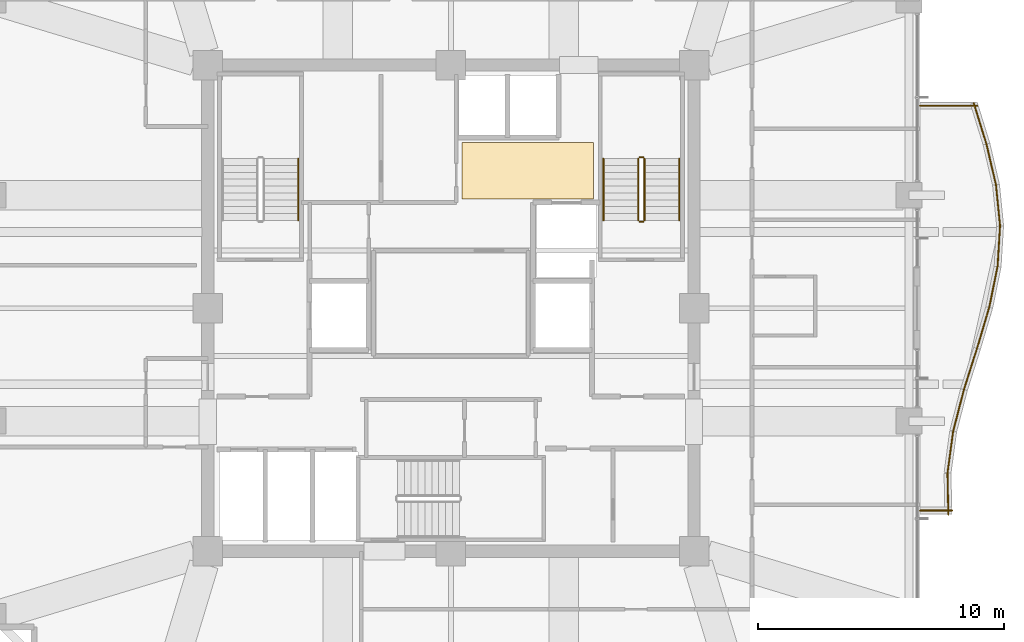
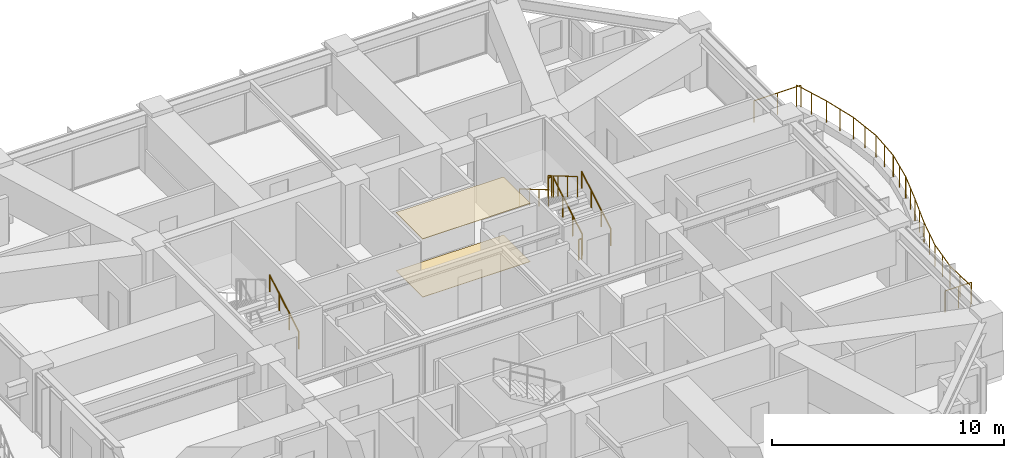
# One storey, part 36 of 36: 19 railings, 2 coverings.
"""IFC4 building model written with IfcOpenShell, lengths in metres."""

from ifc_helpers import new_model, si_unit, direction, frame, origin, origin_2d, place, context, subcontext, project, spatial, polyline, circle, outline, extrude, material, layer, layer_set, type_object, element, save


model = new_model("IFC4")

# Units and contexts
model_context = context("Model", 3, precision=1e-05, world=origin(), true_north=direction((0.0, 1.0)))
body_context = subcontext(model_context, "Body", "Model", "MODEL_VIEW")
ifc_project = project(units=[si_unit("LENGTHUNIT", "METRE"), si_unit("AREAUNIT", "SQUARE_METRE"), si_unit("VOLUMEUNIT", "CUBIC_METRE"), si_unit("PLANEANGLEUNIT", "RADIAN"), si_unit("MASSUNIT", "GRAM", prefix="KILO")], contexts=[model_context])

# Site, building, storey
site_placement = place(None, origin())
site = spatial("IfcSite", under=ifc_project, at=site_placement, CompositionType="ELEMENT")
building_placement = place(site_placement, origin())
building = spatial("IfcBuilding", under=site, at=building_placement, Name="Kolvaren Belvedere", CompositionType="ELEMENT")
storey_placement = place(building_placement, frame((0.0, 0.0, 108.5)))
storey = spatial("IfcBuildingStorey", under=building, at=storey_placement, Name="L31", CompositionType="ELEMENT", Elevation=108.5)

# Coverings
ifc_material_1 = material(Name="Acoustic perforated gypsum board", Category="gypsum")
ifc_layer_1 = layer(ifc_material_1, 0.02490234375)
ifc_layer_set_1 = layer_set([ifc_layer_1], Name="Acoustic perforated gypsum board")
covering_type_1 = type_object("IfcCoveringType", Name="COV-CEIL-GYP", PredefinedType="CEILING", material=ifc_layer_set_1)
covering_1_placement = place(storey_placement, frame((0.0, 0.0, 3.054931640625)))
element("IfcCovering", 1, at=covering_1_placement, inside=storey, type_object=covering_type_1, Name="L31 Lift Lobby Acoustic Baffle Ceiling", PredefinedType="CEILING", context=body_context, shape_type="SweptSolid", body=[
    extrude(outline(polyline([(0.449951171875, 4.449951171875), (5.800048828125, 4.449951171875), (5.800048828125, 6.75), (0.449951171875, 6.75), (0.449951171875, 4.449951171875)])), origin(), (0.0, 0.0, 1.0), 0.025146484375),
])
ifc_material_2 = material(Name="Engineered Pacific white oak", Category="timber")
ifc_layer_2 = layer(ifc_material_2, 0.02001953125)
ifc_layer_set_2 = layer_set([ifc_layer_2], Name="Engineered Pacific white oak")
covering_type_2 = type_object("IfcCoveringType", Name="COV-FLR-OAK", PredefinedType="FLOORING", material=ifc_layer_set_2)
covering_2_placement = place(storey_placement, origin())
element("IfcCovering", 2, at=covering_2_placement, inside=storey, type_object=covering_type_2, Name="L31 Lift Lobby Finish Flooring", PredefinedType="FLOORING", context=body_context, shape_type="SweptSolid", body=[
    extrude(outline(polyline([(0.449951171875, 4.449951171875), (5.800048828125, 4.449951171875), (5.800048828125, 6.75), (0.449951171875, 6.75), (0.449951171875, 4.449951171875)])), origin(), (0.0, 0.0, 1.0), 0.02001953125),
])

# Railings
ifc_material_3 = material(Name="Anodised pale-metal aluminium & laminated glass guard", Category="aluminium")
railing_type_1 = type_object("IfcRailingType", Name="RL-GUARD-1150", PredefinedType="GUARDRAIL", material=ifc_material_3)
railing_1_placement = place(storey_placement, frame((20.2529296875, -8.4033203125, 0.3798828125)))
element("IfcRailing", 3, at=railing_1_placement, inside=storey, type_object=railing_type_1, Name="L31 Exterior Deck Safety Guard BAL-E-1", PredefinedType="GUARDRAIL", context=body_context, shape_type="SweptSolid", body=[
    extrude(circle(Radius=0.02392578125, at=origin_2d()), frame((0.0, 0.0, 1.1259765625), z_axis=(-0.020193498486, 0.99979609052, 0.0), x_axis=(-0.99979609052, -0.020193498486, 0.0)), (0.0, 0.0, 1.0), 1.680419921875),
    extrude(circle(Radius=0.02099609375, at=origin_2d()), origin(), (0.0, 0.0, 1.0), 1.101806640625),
    extrude(circle(Radius=0.02099609375, at=origin_2d()), frame((-0.01708984375, 0.840087890625, 0.0)), (0.0, 0.0, 1.0), 1.101806640625),
    extrude(circle(Radius=0.02099609375, at=origin_2d()), frame((-0.033935546875, 1.68017578125, 0.0)), (0.0, 0.0, 1.0), 1.101806640625),
])
railing_2_placement = place(storey_placement, frame((20.220703125, -6.698486328125, 0.3798828125)))
element("IfcRailing", 4, at=railing_2_placement, inside=storey, type_object=railing_type_1, Name="L31 Exterior Deck Safety Guard BAL-E-2", PredefinedType="GUARDRAIL", context=body_context, shape_type="SweptSolid", body=[
    extrude(circle(Radius=0.02392578125, at=origin_2d()), frame((0.0, 0.0, 1.1259765625), z_axis=(0.134766240144, 0.990877419521, 0.0), x_axis=(-0.990877419521, 0.134766240144, 0.0)), (0.0, 0.0, 1.0), 1.695556640625),
    extrude(circle(Radius=0.02099609375, at=origin_2d()), origin(), (0.0, 0.0, 1.0), 1.101806640625),
    extrude(circle(Radius=0.02099609375, at=origin_2d()), frame((0.1142578125, 0.840087890625, 0.0)), (0.0, 0.0, 1.0), 1.101806640625),
    extrude(circle(Radius=0.02099609375, at=origin_2d()), frame((0.228515625, 1.68017578125, 0.0)), (0.0, 0.0, 1.0), 1.101806640625),
])
railing_3_placement = place(storey_placement, frame((20.452880859375, -5.0, 0.3798828125)))
element("IfcRailing", 5, at=railing_3_placement, inside=storey, type_object=railing_type_1, Name="L31 Exterior Deck Safety Guard BAL-E-3", PredefinedType="GUARDRAIL", context=body_context, shape_type="SweptSolid", body=[
    extrude(circle(Radius=0.02392578125, at=origin_2d()), frame((0.0, 0.0, 1.1259765625), z_axis=(0.250405556038, 0.968141031826, 0.0), x_axis=(-0.968141031826, 0.250405556038, 0.0)), (0.0, 0.0, 1.0), 1.7353515625),
    extrude(circle(Radius=0.02099609375, at=origin_2d()), origin(), (0.0, 0.0, 1.0), 1.101806640625),
    extrude(circle(Radius=0.02099609375, at=origin_2d()), frame((0.21728515625, 0.840087890625, 0.0)), (0.0, 0.0, 1.0), 1.101806640625),
    extrude(circle(Radius=0.02099609375, at=origin_2d()), frame((0.4345703125, 1.68017578125, 0.0)), (0.0, 0.0, 1.0), 1.101806640625),
])
railing_4_placement = place(storey_placement, frame((20.889892578125, -3.3115234375, 0.3798828125)))
element("IfcRailing", 6, at=railing_4_placement, inside=storey, type_object=railing_type_1, Name="L31 Exterior Deck Safety Guard BAL-E-4", PredefinedType="GUARDRAIL", context=body_context, shape_type="SweptSolid", body=[
    extrude(circle(Radius=0.02392578125, at=origin_2d()), frame((0.0, 0.0, 1.1259765625), z_axis=(0.302397356111, 0.953181954832, 0.0), x_axis=(-0.953181954832, 0.302397356111, 0.0)), (0.0, 0.0, 1.0), 1.762451171875),
    extrude(circle(Radius=0.02099609375, at=origin_2d()), origin(), (0.0, 0.0, 1.0), 1.101806640625),
    extrude(circle(Radius=0.02099609375, at=origin_2d()), frame((0.2666015625, 0.83984375, 0.0)), (0.0, 0.0, 1.0), 1.101806640625),
    extrude(circle(Radius=0.02099609375, at=origin_2d()), frame((0.532958984375, 1.679931640625, 0.0)), (0.0, 0.0, 1.0), 1.101806640625),
])
railing_5_placement = place(storey_placement, frame((21.422119140625, -1.634521484375, 0.3798828125)))
element("IfcRailing", 7, at=railing_5_placement, inside=storey, type_object=railing_type_1, Name="L31 Exterior Deck Safety Guard BAL-E-5", PredefinedType="GUARDRAIL", context=body_context, shape_type="SweptSolid", body=[
    extrude(circle(Radius=0.02392578125, at=origin_2d()), frame((0.0, 0.0, 1.1259765625), z_axis=(0.284842289601, 0.958574394638, 0.0), x_axis=(-0.958574394638, 0.284842289601, 0.0)), (0.0, 0.0, 1.0), 1.752685546875),
    extrude(circle(Radius=0.02099609375, at=origin_2d()), origin(), (0.0, 0.0, 1.0), 1.101806640625),
    extrude(circle(Radius=0.02099609375, at=origin_2d()), frame((0.24951171875, 0.840087890625, 0.0)), (0.0, 0.0, 1.0), 1.101806640625),
    extrude(circle(Radius=0.02099609375, at=origin_2d()), frame((0.499267578125, 1.68017578125, 0.0)), (0.0, 0.0, 1.0), 1.101806640625),
])
railing_6_placement = place(storey_placement, frame((21.91796875, 0.031982421875, 0.3798828125)))
element("IfcRailing", 8, at=railing_6_placement, inside=storey, type_object=railing_type_1, Name="L31 Exterior Deck Safety Guard BAL-E-6", PredefinedType="GUARDRAIL", context=body_context, shape_type="SweptSolid", body=[
    extrude(circle(Radius=0.02392578125, at=origin_2d()), frame((0.0, 0.0, 1.1259765625), z_axis=(0.199784246163, 0.979839912937, 0.0), x_axis=(-0.979839912937, 0.199784246163, 0.0)), (0.0, 0.0, 1.0), 1.714599609375),
    extrude(circle(Radius=0.02099609375, at=origin_2d()), origin(), (0.0, 0.0, 1.0), 1.101806640625),
    extrude(circle(Radius=0.02099609375, at=origin_2d()), frame((0.17138671875, 0.83984375, 0.0)), (0.0, 0.0, 1.0), 1.101806640625),
    extrude(circle(Radius=0.02099609375, at=origin_2d()), frame((0.342529296875, 1.679931640625, 0.0)), (0.0, 0.0, 1.0), 1.101806640625),
])
railing_7_placement = place(storey_placement, frame((22.257568359375, 1.689697265625, 0.3798828125)))
element("IfcRailing", 9, at=railing_7_placement, inside=storey, type_object=railing_type_1, Name="L31 Exterior Deck Safety Guard BAL-E-7", PredefinedType="GUARDRAIL", context=body_context, shape_type="SweptSolid", body=[
    extrude(circle(Radius=0.02392578125, at=origin_2d()), frame((0.0, 0.0, 1.1259765625), z_axis=(0.061059932685, 0.998134101522, 0.0), x_axis=(-0.998134101522, 0.061059932685, 0.0)), (0.0, 0.0, 1.0), 1.683349609375),
    extrude(circle(Radius=0.02099609375, at=origin_2d()), origin(), (0.0, 0.0, 1.0), 1.101806640625),
    extrude(circle(Radius=0.02099609375, at=origin_2d()), frame((0.05126953125, 0.840087890625, 0.0)), (0.0, 0.0, 1.0), 1.101806640625),
    extrude(circle(Radius=0.02099609375, at=origin_2d()), frame((0.102783203125, 1.68017578125, 0.0)), (0.0, 0.0, 1.0), 1.101806640625),
])
railing_8_placement = place(storey_placement, frame((22.36083984375, 3.343994140625, 0.3798828125)))
element("IfcRailing", 10, at=railing_8_placement, inside=storey, type_object=railing_type_1, Name="L31 Exterior Deck Safety Guard BAL-E-8", PredefinedType="GUARDRAIL", context=body_context, shape_type="SweptSolid", body=[
    extrude(circle(Radius=0.02392578125, at=origin_2d()), frame((0.0, 0.0, 1.1259765625), z_axis=(-0.099618240186, 0.995025731437, 0.0), x_axis=(-0.995025731437, -0.099618240186, 0.0)), (0.0, 0.0, 1.0), 1.6884765625),
    extrude(circle(Radius=0.02099609375, at=origin_2d()), origin(), (0.0, 0.0, 1.0), 1.101806640625),
    extrude(circle(Radius=0.02099609375, at=origin_2d()), frame((-0.083984375, 0.840087890625, 0.0)), (0.0, 0.0, 1.0), 1.101806640625),
    extrude(circle(Radius=0.02099609375, at=origin_2d()), frame((-0.168212890625, 1.68017578125, 0.0)), (0.0, 0.0, 1.0), 1.101806640625),
])
railing_9_placement = place(storey_placement, frame((22.196044921875, 5.003662109375, 0.3798828125)))
element("IfcRailing", 11, at=railing_9_placement, inside=storey, type_object=railing_type_1, Name="L31 Exterior Deck Safety Guard BAL-E-9", PredefinedType="GUARDRAIL", context=body_context, shape_type="SweptSolid", body=[
    extrude(circle(Radius=0.02392578125, at=origin_2d()), frame((0.0, 0.0, 1.1259765625), z_axis=(-0.227019323824, 0.973890253884, 0.0), x_axis=(-0.973890253884, -0.227019323824, 0.0)), (0.0, 0.0, 1.0), 1.724853515625),
    extrude(circle(Radius=0.02099609375, at=origin_2d()), origin(), (0.0, 0.0, 1.0), 1.101806640625),
    extrude(circle(Radius=0.02099609375, at=origin_2d()), frame((-0.19580078125, 0.83984375, 0.0)), (0.0, 0.0, 1.0), 1.101806640625),
    extrude(circle(Radius=0.02099609375, at=origin_2d()), frame((-0.3916015625, 1.679931640625, 0.0)), (0.0, 0.0, 1.0), 1.101806640625),
])
railing_10_placement = place(storey_placement, frame((21.8076171875, 6.672607421875, 0.3798828125)))
element("IfcRailing", 12, at=railing_10_placement, inside=storey, type_object=railing_type_1, Name="L31 Exterior Deck Safety Guard BAL-E-10", PredefinedType="GUARDRAIL", context=body_context, shape_type="SweptSolid", body=[
    extrude(circle(Radius=0.02392578125, at=origin_2d()), frame((0.0, 0.0, 1.1259765625), z_axis=(-0.295918951766, 0.95521305162, 0.0), x_axis=(-0.95521305162, -0.295918951766, 0.0)), (0.0, 0.0, 1.0), 1.759033203125),
    extrude(circle(Radius=0.02099609375, at=origin_2d()), origin(), (0.0, 0.0, 1.0), 1.101806640625),
    extrude(circle(Radius=0.02099609375, at=origin_2d()), frame((-0.26025390625, 0.840087890625, 0.0)), (0.0, 0.0, 1.0), 1.101806640625),
    extrude(circle(Radius=0.02099609375, at=origin_2d()), frame((-0.5205078125, 1.68017578125, 0.0)), (0.0, 0.0, 1.0), 1.101806640625),
])
railing_11_placement = place(storey_placement, frame((21.43994140625, 8.239990234375, 0.3798828125)))
element("IfcRailing", 13, at=railing_11_placement, inside=storey, type_object=railing_type_1, Name="L31 Exterior Deck Safety Guard BAL-E-11", PredefinedType="GUARDRAIL", context=body_context, shape_type="SweptSolid", body=[
    extrude(circle(Radius=0.02392578125, at=origin_2d()), frame((0.0, 0.0, 1.1259765625), z_axis=(-1.0, 0.0, 0.0), x_axis=(0.0, -1.0, 0.0)), (0.0, 0.0, 1.0), 2.33984375),
    extrude(circle(Radius=0.02099609375, at=origin_2d()), origin(), (0.0, 0.0, 1.0), 1.101806640625),
    extrude(circle(Radius=0.02099609375, at=origin_2d()), frame((-1.169921875, 0.0, 0.0)), (0.0, 0.0, 1.0), 1.101806640625),
    extrude(circle(Radius=0.02099609375, at=origin_2d()), frame((-2.33984375, 0.0, 0.0)), (0.0, 0.0, 1.0), 1.101806640625),
])
railing_12_placement = place(storey_placement, frame((19.10009765625, -8.239990234375, 0.3798828125)))
element("IfcRailing", 14, at=railing_12_placement, inside=storey, type_object=railing_type_1, Name="L31 Exterior Deck Safety Guard BAL-E-22", PredefinedType="GUARDRAIL", context=body_context, shape_type="SweptSolid", body=[
    extrude(circle(Radius=0.02392578125, at=origin_2d()), frame((0.0, 0.0, 1.1259765625), z_axis=(1.0, 0.0, 0.0), x_axis=(0.0, 1.0, 0.0)), (0.0, 0.0, 1.0), 1.312744140625),
    extrude(circle(Radius=0.02099609375, at=origin_2d()), origin(), (0.0, 0.0, 1.0), 1.101806640625),
    extrude(circle(Radius=0.02099609375, at=origin_2d()), frame((0.65625, 0.0, 0.0)), (0.0, 0.0, 1.0), 1.101806640625),
    extrude(circle(Radius=0.02099609375, at=origin_2d()), frame((1.312744140625, 0.0, 0.0)), (0.0, 0.0, 1.0), 1.101806640625),
])
ifc_material_4 = material(Name="Brushed stainless-steel handrail", Category="steel")
railing_type_2 = type_object("IfcRailingType", Name="RL-HANDRAIL-920", PredefinedType="HANDRAIL", material=ifc_material_4)
for number, where, name in (
    (15, (-6.2099609375, 3.570068359375, 0.1650390625), "L31 ST-1 stair handrail 1"),
    (16, (9.300048828125, 3.570068359375, 0.1650390625), "L31 ST-2 stair handrail 1"),
):
    element("IfcRailing", number, at=place(storey_placement, frame(where)), inside=storey, type_object=railing_type_2, Name=name, PredefinedType="HANDRAIL", context=body_context, shape_type="SweptSolid", body=[
        extrude(circle(Radius=0.02392578125, at=origin_2d()), frame((0.0, 0.0, 0.8759765625), z_axis=(0.0, 0.861560626758, 0.507654692109), x_axis=(-1.0, 0.0, 0.0)), (0.0, 0.0, 1.0), 2.925048828125),
        extrude(circle(Radius=0.02099609375, at=origin_2d()), origin(), (0.0, 0.0, 1.0), 0.851806640625),
        extrude(circle(Radius=0.02099609375, at=origin_2d()), frame((0.0, 0.840087890625, 0.494873046875)), (0.0, 0.0, 1.0), 0.851806640625),
        extrude(circle(Radius=0.02099609375, at=origin_2d()), frame((0.0, 1.679931640625, 0.989990234375)), (0.0, 0.0, 1.0), 0.851806640625),
        extrude(circle(Radius=0.02099609375, at=origin_2d()), frame((0.0, 2.52001953125, 1.48486328125)), (0.0, 0.0, 1.0), 0.851806640625),
    ])
railing_13_placement = place(storey_placement, frame((6.2099609375, 6.090087890625, 1.81494140625)))
element("IfcRailing", 17, at=railing_13_placement, inside=storey, type_object=railing_type_2, Name="L31 ST-2 stair handrail 2", PredefinedType="HANDRAIL", context=body_context, shape_type="SweptSolid", body=[
    extrude(circle(Radius=0.02392578125, at=origin_2d()), frame((0.0, 0.0, 0.8759765625), z_axis=(0.0, -0.86152411907, 0.507716645641), x_axis=(1.0, 0.0, 0.0)), (0.0, 0.0, 1.0), 2.925048828125),
    extrude(circle(Radius=0.02099609375, at=origin_2d()), origin(), (0.0, 0.0, 1.0), 0.851806640625),
    extrude(circle(Radius=0.02099609375, at=origin_2d()), frame((0.0, -0.840087890625, 0.4951171875)), (0.0, 0.0, 1.0), 0.851806640625),
    extrude(circle(Radius=0.02099609375, at=origin_2d()), frame((0.0, -1.679931640625, 0.989990234375)), (0.0, 0.0, 1.0), 0.851806640625),
    extrude(circle(Radius=0.02099609375, at=origin_2d()), frame((0.0, -2.52001953125, 1.485107421875)), (0.0, 0.0, 1.0), 0.851806640625),
])
ifc_material_5 = material(Name="Painted tubular steel stair guard", Category="steel")
railing_type_3 = type_object("IfcRailingType", Name="RL-STGUARD-1100", PredefinedType="GUARDRAIL", material=ifc_material_5)
railing_14_placement = place(storey_placement, frame((7.8798828125, 3.570068359375, 0.1650390625)))
element("IfcRailing", 18, at=railing_14_placement, inside=storey, type_object=railing_type_3, Name="L31 ST-2 stair guard 1", PredefinedType="GUARDRAIL", context=body_context, shape_type="SweptSolid", body=[
    extrude(circle(Radius=0.02392578125, at=origin_2d()), frame((0.0, 0.0, 1.076171875), z_axis=(0.0, 0.861560626758, 0.507654692109), x_axis=(-1.0, 0.0, 0.0)), (0.0, 0.0, 1.0), 2.925048828125),
    extrude(circle(Radius=0.02099609375, at=origin_2d()), origin(), (0.0, 0.0, 1.0), 1.052001953125),
    extrude(circle(Radius=0.02099609375, at=origin_2d()), frame((0.0, 0.840087890625, 0.494873046875)), (0.0, 0.0, 1.0), 1.052001953125),
    extrude(circle(Radius=0.02099609375, at=origin_2d()), frame((0.0, 1.679931640625, 0.989990234375)), (0.0, 0.0, 1.0), 1.052001953125),
    extrude(circle(Radius=0.02099609375, at=origin_2d()), frame((0.0, 2.52001953125, 1.48486328125)), (0.0, 0.0, 1.0), 1.052001953125),
])
railing_15_placement = place(storey_placement, frame((7.830078125, 6.139892578125, 1.64990234375)))
element("IfcRailing", 19, at=railing_15_placement, inside=storey, type_object=railing_type_3, Name="L31 ST-2 stair guard 2", PredefinedType="GUARDRAIL", context=body_context, shape_type="SweptSolid", body=[
    extrude(circle(Radius=0.02392578125, at=origin_2d()), frame((0.0, 0.0, 1.076171875), z_axis=(-1.0, 0.0, 0.0), x_axis=(0.0, -1.0, 0.0)), (0.0, 0.0, 1.0), 0.150146484375),
    extrude(circle(Radius=0.02099609375, at=origin_2d()), origin(), (0.0, 0.0, 1.0), 1.052001953125),
    extrude(circle(Radius=0.02099609375, at=origin_2d()), frame((-0.150146484375, 0.0, 0.0)), (0.0, 0.0, 1.0), 1.052001953125),
])
railing_16_placement = place(storey_placement, frame((7.6298828125, 6.090087890625, 1.81494140625)))
element("IfcRailing", 20, at=railing_16_placement, inside=storey, type_object=railing_type_3, Name="L31 ST-2 stair guard 3", PredefinedType="GUARDRAIL", context=body_context, shape_type="SweptSolid", body=[
    extrude(circle(Radius=0.02392578125, at=origin_2d()), frame((0.0, 0.0, 1.076171875), z_axis=(0.0, -0.86152411907, 0.507716645641), x_axis=(1.0, 0.0, 0.0)), (0.0, 0.0, 1.0), 2.925048828125),
    extrude(circle(Radius=0.02099609375, at=origin_2d()), origin(), (0.0, 0.0, 1.0), 1.052001953125),
    extrude(circle(Radius=0.02099609375, at=origin_2d()), frame((0.0, -0.840087890625, 0.4951171875)), (0.0, 0.0, 1.0), 1.052001953125),
    extrude(circle(Radius=0.02099609375, at=origin_2d()), frame((0.0, -1.679931640625, 0.989990234375)), (0.0, 0.0, 1.0), 1.052001953125),
    extrude(circle(Radius=0.02099609375, at=origin_2d()), frame((0.0, -2.52001953125, 1.485107421875)), (0.0, 0.0, 1.0), 1.052001953125),
])
railing_17_placement = place(storey_placement, frame((7.830078125, 3.52001953125, 0.0)))
element("IfcRailing", 21, at=railing_17_placement, inside=storey, type_object=railing_type_3, Name="L31 ST-2 stair guard 4", PredefinedType="GUARDRAIL", context=body_context, shape_type="SweptSolid", body=[
    extrude(circle(Radius=0.02392578125, at=origin_2d()), frame((0.0, 0.0, 1.076171875), z_axis=(-1.0, 0.0, 0.0), x_axis=(0.0, -1.0, 0.0)), (0.0, 0.0, 1.0), 0.150146484375),
    extrude(circle(Radius=0.02099609375, at=origin_2d()), origin(), (0.0, 0.0, 1.0), 1.052001953125),
    extrude(circle(Radius=0.02099609375, at=origin_2d()), frame((-0.150146484375, 0.0, 0.0)), (0.0, 0.0, 1.0), 1.052001953125),
])

save(model, "model.ifc")
